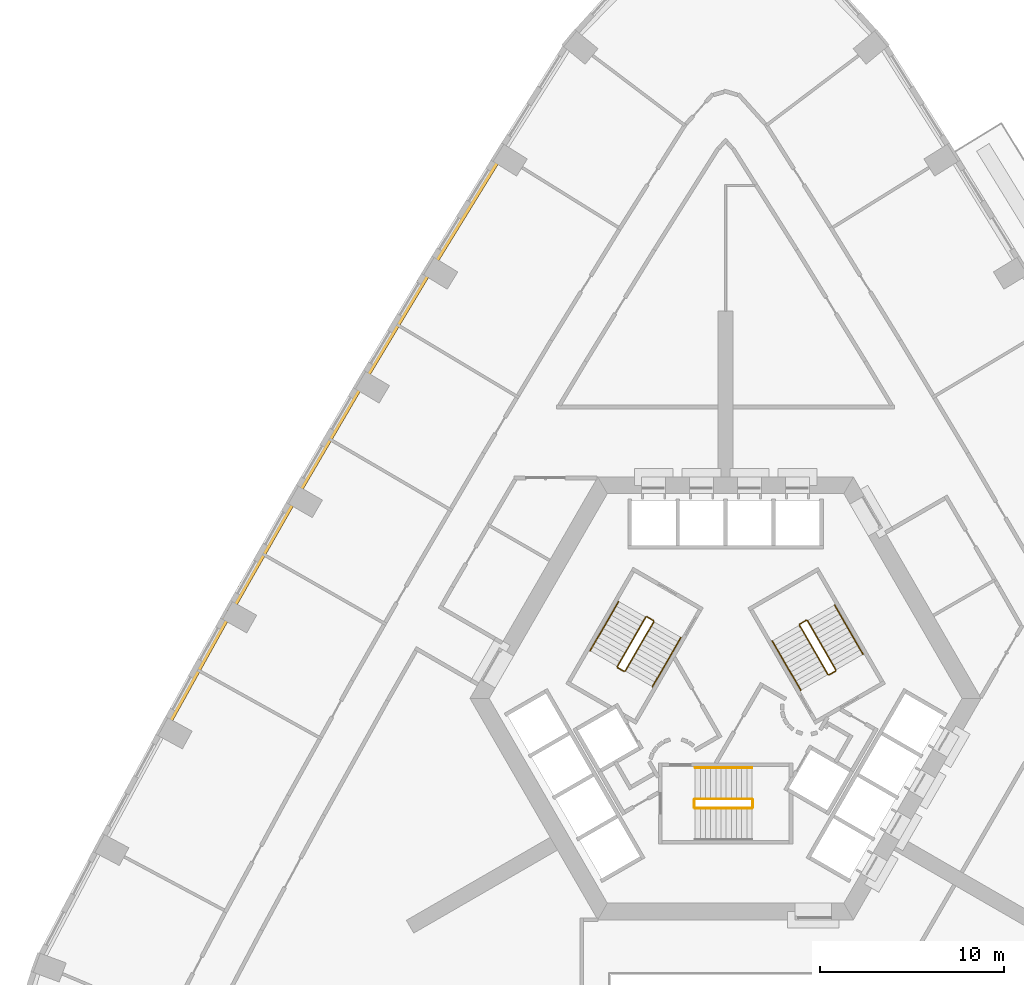
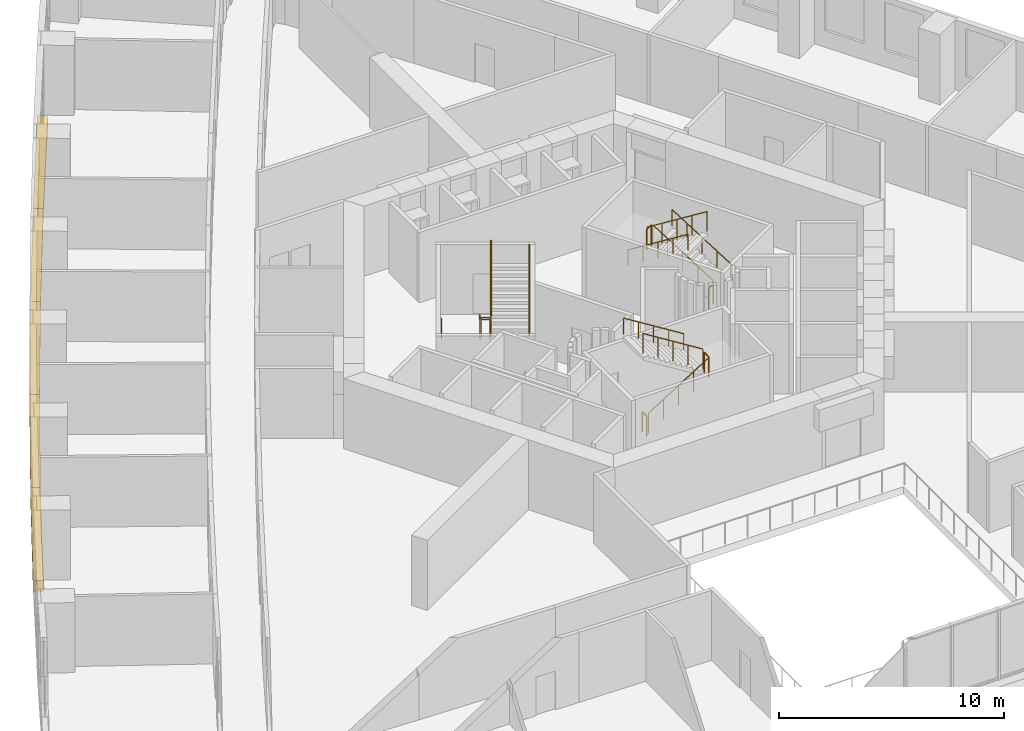
# One storey, part 14 of 15: 17 railings, 5 coverings.
"""IFC4 building model written with IfcOpenShell, lengths in metres."""

from ifc_helpers import new_model, si_unit, direction, frame, origin, origin_2d, place, context, subcontext, project, spatial, polyline, circle, outline, extrude, material, type_object, element, save


model = new_model("IFC4")

# Units and contexts
model_context = context("Model", 3, precision=1e-05, world=origin(), true_north=direction((0.0, 1.0)))
body_context = subcontext(model_context, "Body", "Model", "MODEL_VIEW")
ifc_project = project(units=[si_unit("LENGTHUNIT", "METRE"), si_unit("AREAUNIT", "SQUARE_METRE"), si_unit("VOLUMEUNIT", "CUBIC_METRE"), si_unit("PLANEANGLEUNIT", "RADIAN"), si_unit("MASSUNIT", "GRAM", prefix="KILO")], contexts=[model_context])

# Site, building, storey
site_placement = place(None, origin())
site = spatial("IfcSite", under=ifc_project, at=site_placement, CompositionType="ELEMENT")
building_placement = place(site_placement, origin())
building = spatial("IfcBuilding", under=site, at=building_placement, Name="Entoto Arch Interchange Tower", CompositionType="ELEMENT")
storey_placement = place(building_placement, frame((0.0, 0.0, 111.800048828125)))
storey = spatial("IfcBuildingStorey", under=building, at=storey_placement, Name="L24", CompositionType="ELEMENT", Elevation=111.800048828125)

# Coverings
ifc_material_1 = material(Name="Board-marked precast concrete C50/60", Category="concrete")
covering_type = type_object("IfcCoveringType", Name="PRECAST LEDGE COURSE", PredefinedType="CLADDING", material=ifc_material_1)
covering_1_placement = place(storey_placement, frame((0.0, 0.0, -1.0)))
element("IfcCovering", 1, at=covering_1_placement, inside=storey, type_object=covering_type, Name="Precast course NW-02 L24", PredefinedType="CLADDING", context=body_context, shape_type="SweptSolid", body=[
    extrude(outline(polyline([(-15.822021484375, 25.77001953125), (-16.2109375, 26.007080078125), (-12.43798828125, 32.14990234375), (-12.0458984375, 31.905029296875), (-15.822021484375, 25.77001953125)])), origin(), (0.0, 0.0, 1.0), 0.599853515625),
])
covering_2_placement = place(storey_placement, frame((0.0, 0.0, -1.0)))
element("IfcCovering", 2, at=covering_2_placement, inside=storey, type_object=covering_type, Name="Precast course NW-03 L24", PredefinedType="CLADDING", context=body_context, shape_type="SweptSolid", body=[
    extrude(outline(polyline([(-19.529052734375, 19.593017578125), (-19.9169921875, 19.822998046875), (-16.2109375, 26.007080078125), (-15.822021484375, 25.77001953125), (-19.529052734375, 19.593017578125)])), origin(), (0.0, 0.0, 1.0), 0.599853515625),
])
covering_3_placement = place(storey_placement, frame((0.0, 0.0, -1.0)))
element("IfcCovering", 3, at=covering_3_placement, inside=storey, type_object=covering_type, Name="Precast course NW-04 L24", PredefinedType="CLADDING", context=body_context, shape_type="SweptSolid", body=[
    extrude(outline(polyline([(-23.166015625, 13.375), (-23.555908203125, 13.60009765625), (-19.9169921875, 19.822998046875), (-19.529052734375, 19.593017578125), (-23.166015625, 13.375)])), origin(), (0.0, 0.0, 1.0), 0.599853515625),
])
covering_4_placement = place(storey_placement, frame((0.0, 0.0, -1.0)))
element("IfcCovering", 4, at=covering_4_placement, inside=storey, type_object=covering_type, Name="Precast course NW-05 L24", PredefinedType="CLADDING", context=body_context, shape_type="SweptSolid", body=[
    extrude(outline(polyline([(-26.73291015625, 7.115966796875), (-27.1259765625, 7.3369140625), (-23.555908203125, 13.60009765625), (-23.166015625, 13.375), (-26.73291015625, 7.115966796875)])), origin(), (0.0, 0.0, 1.0), 0.599853515625),
])
covering_5_placement = place(storey_placement, frame((0.0, 0.0, -1.0)))
element("IfcCovering", 5, at=covering_5_placement, inside=storey, type_object=covering_type, Name="Precast course NW-06 L24", PredefinedType="CLADDING", context=body_context, shape_type="SweptSolid", body=[
    extrude(outline(polyline([(-30.22802734375, 0.81689453125), (-30.6279296875, 1.035888671875), (-27.1259765625, 7.3369140625), (-26.73291015625, 7.115966796875), (-30.22802734375, 0.81689453125)])), origin(), (0.0, 0.0, 1.0), 0.599853515625),
])

# Railings
ifc_material_2 = material(Name="Stainless steel 1.4301", Category="steel")
railing_type_1 = type_object("IfcRailingType", Name="STAIR GUARD 1100 STEEL", PredefinedType="GUARDRAIL", material=ifc_material_2)
railing_1_placement = place(storey_placement, frame((-1.64990234375, -3.449951171875, 0.175048828125)))
element("IfcRailing", 6, at=railing_1_placement, inside=storey, type_object=railing_type_1, Name="L24 ST-S stair guard 1", PredefinedType="GUARDRAIL", context=body_context, shape_type="SweptSolid", body=[
    extrude(circle(Radius=0.02392578125, at=origin_2d()), frame((0.0, 0.0, 1.076171875), z_axis=(0.848009633417, 0.0, 0.529980812513), x_axis=(0.0, 1.0, 0.0)), (0.0, 0.0, 1.0), 3.6318359375),
    extrude(circle(Radius=0.02099609375, at=origin_2d()), origin(), (0.0, 0.0, 1.0), 1.052001953125),
    extrude(circle(Radius=0.02099609375, at=origin_2d()), frame((0.77001953125, 0.0, 0.481201171875)), (0.0, 0.0, 1.0), 1.052001953125),
    extrude(circle(Radius=0.02099609375, at=origin_2d()), frame((1.5400390625, 0.0, 0.96240234375)), (0.0, 0.0, 1.0), 1.052001953125),
    extrude(circle(Radius=0.02099609375, at=origin_2d()), frame((2.309814453125, 0.0, 1.443603515625)), (0.0, 0.0, 1.0), 1.052001953125),
    extrude(circle(Radius=0.02099609375, at=origin_2d()), frame((3.079833984375, 0.0, 1.9248046875)), (0.0, 0.0, 1.0), 1.052001953125),
])
railing_2_placement = place(storey_placement, frame((1.47998046875, -3.39990234375, 2.099853515625)))
element("IfcRailing", 7, at=railing_2_placement, inside=storey, type_object=railing_type_1, Name="L24 ST-S stair guard 2", PredefinedType="GUARDRAIL", context=body_context, shape_type="SweptSolid", body=[
    extrude(circle(Radius=0.02392578125, at=origin_2d()), frame((0.0, 0.0, 1.076171875), z_axis=(0.0, 1.0, 0.0), x_axis=(-1.0, 0.0, 0.0)), (0.0, 0.0, 1.0), 0.39990234375),
    extrude(circle(Radius=0.02099609375, at=origin_2d()), origin(), (0.0, 0.0, 1.0), 1.052001953125),
    extrude(circle(Radius=0.02099609375, at=origin_2d()), frame((0.0, 0.39990234375, 0.0)), (0.0, 0.0, 1.0), 1.052001953125),
])
railing_3_placement = place(storey_placement, frame((1.429931640625, -2.949951171875, 2.27490234375)))
element("IfcRailing", 8, at=railing_3_placement, inside=storey, type_object=railing_type_1, Name="L24 ST-S stair guard 3", PredefinedType="GUARDRAIL", context=body_context, shape_type="SweptSolid", body=[
    extrude(circle(Radius=0.02392578125, at=origin_2d()), frame((0.0, 0.0, 1.076171875), z_axis=(-0.847979421464, 0.0, 0.530029150871), x_axis=(0.0, -1.0, 0.0)), (0.0, 0.0, 1.0), 3.632080078125),
    extrude(circle(Radius=0.02099609375, at=origin_2d()), origin(), (0.0, 0.0, 1.0), 1.052001953125),
    extrude(circle(Radius=0.02099609375, at=origin_2d()), frame((-0.77001953125, 0.0, 0.481201171875)), (0.0, 0.0, 1.0), 1.052001953125),
    extrude(circle(Radius=0.02099609375, at=origin_2d()), frame((-1.5400390625, 0.0, 0.96240234375)), (0.0, 0.0, 1.0), 1.052001953125),
    extrude(circle(Radius=0.02099609375, at=origin_2d()), frame((-2.309814453125, 0.0, 1.44384765625)), (0.0, 0.0, 1.0), 1.052001953125),
    extrude(circle(Radius=0.02099609375, at=origin_2d()), frame((-3.079833984375, 0.0, 1.925048828125)), (0.0, 0.0, 1.0), 1.052001953125),
])
railing_4_placement = place(storey_placement, frame((-1.699951171875, -3.39990234375, 0.0)))
element("IfcRailing", 9, at=railing_4_placement, inside=storey, type_object=railing_type_1, Name="L24 ST-S stair guard 4", PredefinedType="GUARDRAIL", context=body_context, shape_type="SweptSolid", body=[
    extrude(circle(Radius=0.02392578125, at=origin_2d()), frame((0.0, 0.0, 1.076171875), z_axis=(0.0, 1.0, 0.0), x_axis=(-1.0, 0.0, 0.0)), (0.0, 0.0, 1.0), 0.39990234375),
    extrude(circle(Radius=0.02099609375, at=origin_2d()), origin(), (0.0, 0.0, 1.0), 1.052001953125),
    extrude(circle(Radius=0.02099609375, at=origin_2d()), frame((0.0, 0.39990234375, 0.0)), (0.0, 0.0, 1.0), 1.052001953125),
])
railing_5_placement = place(storey_placement, frame((5.977783203125, 4.046142578125, 0.175048828125)))
element("IfcRailing", 10, at=railing_5_placement, inside=storey, type_object=railing_type_1, Name="L24 ST-NE stair guard 1", PredefinedType="GUARDRAIL", context=body_context, shape_type="SweptSolid", body=[
    extrude(circle(Radius=0.02392578125, at=origin_2d()), frame((0.0, 0.0, 1.076171875), z_axis=(-0.42403051051, 0.734390191396, 0.529970917068), x_axis=(-0.866010015463, -0.500026652407, 0.0)), (0.0, 0.0, 1.0), 3.6318359375),
    extrude(circle(Radius=0.02099609375, at=origin_2d()), origin(), (0.0, 0.0, 1.0), 1.052001953125),
    extrude(circle(Radius=0.02099609375, at=origin_2d()), frame((-0.385009765625, 0.666748046875, 0.481201171875)), (0.0, 0.0, 1.0), 1.052001953125),
    extrude(circle(Radius=0.02099609375, at=origin_2d()), frame((-0.77001953125, 1.33349609375, 0.96240234375)), (0.0, 0.0, 1.0), 1.052001953125),
    extrude(circle(Radius=0.02099609375, at=origin_2d()), frame((-1.155029296875, 2.00048828125, 1.443603515625)), (0.0, 0.0, 1.0), 1.052001953125),
    extrude(circle(Radius=0.02099609375, at=origin_2d()), frame((-1.5400390625, 2.667236328125, 1.9248046875)), (0.0, 0.0, 1.0), 1.052001953125),
])
railing_6_placement = place(storey_placement, frame((4.36962890625, 6.731689453125, 2.099853515625)))
element("IfcRailing", 11, at=railing_6_placement, inside=storey, type_object=railing_type_1, Name="L24 ST-NE stair guard 2", PredefinedType="GUARDRAIL", context=body_context, shape_type="SweptSolid", body=[
    extrude(circle(Radius=0.02392578125, at=origin_2d()), frame((0.0, 0.0, 1.076171875), z_axis=(-0.866094119867, -0.499880961361, 0.0), x_axis=(0.499880961361, -0.866094119867, 0.0)), (0.0, 0.0, 1.0), 0.39990234375),
    extrude(circle(Radius=0.02099609375, at=origin_2d()), origin(), (0.0, 0.0, 1.0), 1.052001953125),
    extrude(circle(Radius=0.02099609375, at=origin_2d()), frame((-0.346435546875, -0.199951171875, 0.0)), (0.0, 0.0, 1.0), 1.052001953125),
])
railing_7_placement = place(storey_placement, frame((4.0048828125, 6.46337890625, 2.27490234375)))
element("IfcRailing", 12, at=railing_7_placement, inside=storey, type_object=railing_type_1, Name="L24 ST-NE stair guard 3", PredefinedType="GUARDRAIL", context=body_context, shape_type="SweptSolid", body=[
    extrude(circle(Radius=0.02392578125, at=origin_2d()), frame((0.0, 0.0, 1.076171875), z_axis=(0.424015404183, -0.734364028329, 0.530019255228), x_axis=(0.866010015463, 0.500026652407, 0.0)), (0.0, 0.0, 1.0), 3.632080078125),
    extrude(circle(Radius=0.02099609375, at=origin_2d()), origin(), (0.0, 0.0, 1.0), 1.052001953125),
    extrude(circle(Radius=0.02099609375, at=origin_2d()), frame((0.385009765625, -0.666748046875, 0.481201171875)), (0.0, 0.0, 1.0), 1.052001953125),
    extrude(circle(Radius=0.02099609375, at=origin_2d()), frame((0.77001953125, -1.33349609375, 0.96240234375)), (0.0, 0.0, 1.0), 1.052001953125),
    extrude(circle(Radius=0.02099609375, at=origin_2d()), frame((1.155029296875, -2.00048828125, 1.44384765625)), (0.0, 0.0, 1.0), 1.052001953125),
    extrude(circle(Radius=0.02099609375, at=origin_2d()), frame((1.5400390625, -2.667236328125, 1.925048828125)), (0.0, 0.0, 1.0), 1.052001953125),
])
railing_8_placement = place(storey_placement, frame((5.95947265625, 3.977783203125, 0.0)))
element("IfcRailing", 13, at=railing_8_placement, inside=storey, type_object=railing_type_1, Name="L24 ST-NE stair guard 4", PredefinedType="GUARDRAIL", context=body_context, shape_type="SweptSolid", body=[
    extrude(circle(Radius=0.02392578125, at=origin_2d()), frame((0.0, 0.0, 1.076171875), z_axis=(-0.866094119867, -0.499880961361, 0.0), x_axis=(0.499880961361, -0.866094119867, 0.0)), (0.0, 0.0, 1.0), 0.39990234375),
    extrude(circle(Radius=0.02099609375, at=origin_2d()), origin(), (0.0, 0.0, 1.0), 1.052001953125),
    extrude(circle(Radius=0.02099609375, at=origin_2d()), frame((-0.346435546875, -0.199951171875, 0.0)), (0.0, 0.0, 1.0), 1.052001953125),
])
railing_9_placement = place(storey_placement, frame((-4.327880859375, 6.904052734375, 0.175048828125)))
element("IfcRailing", 14, at=railing_9_placement, inside=storey, type_object=railing_type_1, Name="L24 ST-NW stair guard 1", PredefinedType="GUARDRAIL", context=body_context, shape_type="SweptSolid", body=[
    extrude(circle(Radius=0.02392578125, at=origin_2d()), frame((0.0, 0.0, 1.076171875), z_axis=(-0.424009578203, -0.734421155904, 0.529944755001), x_axis=(0.866029832698, -0.499992328818, 0.0)), (0.0, 0.0, 1.0), 3.632080078125),
    extrude(circle(Radius=0.02099609375, at=origin_2d()), origin(), (0.0, 0.0, 1.0), 1.052001953125),
    extrude(circle(Radius=0.02099609375, at=origin_2d()), frame((-0.385009765625, -0.6669921875, 0.481201171875)), (0.0, 0.0, 1.0), 1.052001953125),
    extrude(circle(Radius=0.02099609375, at=origin_2d()), frame((-0.77001953125, -1.333740234375, 0.96240234375)), (0.0, 0.0, 1.0), 1.052001953125),
    extrude(circle(Radius=0.02099609375, at=origin_2d()), frame((-1.155029296875, -2.00048828125, 1.443603515625)), (0.0, 0.0, 1.0), 1.052001953125),
    extrude(circle(Radius=0.02099609375, at=origin_2d()), frame((-1.5400390625, -2.66748046875, 1.9248046875)), (0.0, 0.0, 1.0), 1.052001953125),
])
railing_10_placement = place(storey_placement, frame((-5.849609375, 4.168212890625, 2.099853515625)))
element("IfcRailing", 15, at=railing_10_placement, inside=storey, type_object=railing_type_1, Name="L24 ST-NW stair guard 2", PredefinedType="GUARDRAIL", context=body_context, shape_type="SweptSolid", body=[
    extrude(circle(Radius=0.02392578125, at=origin_2d()), frame((0.0, 0.0, 1.076171875), z_axis=(0.866094119867, -0.499880961361, 0.0), x_axis=(0.499880961361, 0.866094119867, 0.0)), (0.0, 0.0, 1.0), 0.39990234375),
    extrude(circle(Radius=0.02099609375, at=origin_2d()), origin(), (0.0, 0.0, 1.0), 1.052001953125),
    extrude(circle(Radius=0.02099609375, at=origin_2d()), frame((0.346435546875, -0.199951171875, 0.0)), (0.0, 0.0, 1.0), 1.052001953125),
])
railing_11_placement = place(storey_placement, frame((-5.434814453125, 3.986572265625, 2.27490234375)))
element("IfcRailing", 16, at=railing_11_placement, inside=storey, type_object=railing_type_1, Name="L24 ST-NW stair guard 3", PredefinedType="GUARDRAIL", context=body_context, shape_type="SweptSolid", body=[
    extrude(circle(Radius=0.02392578125, at=origin_2d()), frame((0.0, 0.0, 1.076171875), z_axis=(0.423994474112, 0.734394994316, 0.52999309264), x_axis=(-0.866029832698, 0.499992328818, 0.0)), (0.0, 0.0, 1.0), 3.63232421875),
    extrude(circle(Radius=0.02099609375, at=origin_2d()), origin(), (0.0, 0.0, 1.0), 1.052001953125),
    extrude(circle(Radius=0.02099609375, at=origin_2d()), frame((0.385009765625, 0.6669921875, 0.481201171875)), (0.0, 0.0, 1.0), 1.052001953125),
    extrude(circle(Radius=0.02099609375, at=origin_2d()), frame((0.77001953125, 1.333740234375, 0.96240234375)), (0.0, 0.0, 1.0), 1.052001953125),
    extrude(circle(Radius=0.02099609375, at=origin_2d()), frame((1.155029296875, 2.00048828125, 1.44384765625)), (0.0, 0.0, 1.0), 1.052001953125),
    extrude(circle(Radius=0.02099609375, at=origin_2d()), frame((1.5400390625, 2.66748046875, 1.925048828125)), (0.0, 0.0, 1.0), 1.052001953125),
])
railing_12_placement = place(storey_placement, frame((-4.259521484375, 6.92236328125, 0.0)))
element("IfcRailing", 17, at=railing_12_placement, inside=storey, type_object=railing_type_1, Name="L24 ST-NW stair guard 4", PredefinedType="GUARDRAIL", context=body_context, shape_type="SweptSolid", body=[
    extrude(circle(Radius=0.02392578125, at=origin_2d()), frame((0.0, 0.0, 1.076171875), z_axis=(0.865829829939, -0.500338590944, 0.0), x_axis=(0.500338590944, 0.865829829939, 0.0)), (0.0, 0.0, 1.0), 0.400146484375),
    extrude(circle(Radius=0.02099609375, at=origin_2d()), origin(), (0.0, 0.0, 1.0), 1.052001953125),
    extrude(circle(Radius=0.02099609375, at=origin_2d()), frame((0.346435546875, -0.2001953125, 0.0)), (0.0, 0.0, 1.0), 1.052001953125),
])
railing_type_2 = type_object("IfcRailingType", Name="STAIR HANDRAIL 900 STEEL", PredefinedType="HANDRAIL", material=ifc_material_2)
railing_13_placement = place(storey_placement, frame((1.429931640625, -1.25, 2.27490234375)))
element("IfcRailing", 18, at=railing_13_placement, inside=storey, type_object=railing_type_2, Name="L24 ST-S stair handrail 2", PredefinedType="HANDRAIL", context=body_context, shape_type="SweptSolid", body=[
    extrude(circle(Radius=0.02392578125, at=origin_2d()), frame((0.0, 0.0, 0.8759765625), z_axis=(-0.847979421464, 0.0, 0.530029150871), x_axis=(0.0, -1.0, 0.0)), (0.0, 0.0, 1.0), 3.632080078125),
    extrude(circle(Radius=0.02099609375, at=origin_2d()), origin(), (0.0, 0.0, 1.0), 0.851806640625),
    extrude(circle(Radius=0.02099609375, at=origin_2d()), frame((-0.77001953125, 0.0, 0.481201171875)), (0.0, 0.0, 1.0), 0.851806640625),
    extrude(circle(Radius=0.02099609375, at=origin_2d()), frame((-1.5400390625, 0.0, 0.96240234375)), (0.0, 0.0, 1.0), 0.851806640625),
    extrude(circle(Radius=0.02099609375, at=origin_2d()), frame((-2.309814453125, 0.0, 1.44384765625)), (0.0, 0.0, 1.0), 0.851806640625),
    extrude(circle(Radius=0.02099609375, at=origin_2d()), frame((-3.079833984375, 0.0, 1.925048828125)), (0.0, 0.0, 1.0), 0.851806640625),
])
railing_14_placement = place(storey_placement, frame((7.4501953125, 4.89599609375, 0.175048828125)))
element("IfcRailing", 19, at=railing_14_placement, inside=storey, type_object=railing_type_2, Name="L24 ST-NE stair handrail 1", PredefinedType="HANDRAIL", context=body_context, shape_type="SweptSolid", body=[
    extrude(circle(Radius=0.02392578125, at=origin_2d()), frame((0.0, 0.0, 0.8759765625), z_axis=(-0.424009578203, 0.734421155904, 0.529944755001), x_axis=(-0.866029832698, -0.499992328818, 0.0)), (0.0, 0.0, 1.0), 3.632080078125),
    extrude(circle(Radius=0.02099609375, at=origin_2d()), origin(), (0.0, 0.0, 1.0), 0.851806640625),
    extrude(circle(Radius=0.02099609375, at=origin_2d()), frame((-0.385009765625, 0.6669921875, 0.481201171875)), (0.0, 0.0, 1.0), 0.851806640625),
    extrude(circle(Radius=0.02099609375, at=origin_2d()), frame((-0.77001953125, 1.333740234375, 0.96240234375)), (0.0, 0.0, 1.0), 0.851806640625),
    extrude(circle(Radius=0.02099609375, at=origin_2d()), frame((-1.155029296875, 2.00048828125, 1.443603515625)), (0.0, 0.0, 1.0), 0.851806640625),
    extrude(circle(Radius=0.02099609375, at=origin_2d()), frame((-1.5400390625, 2.66748046875, 1.9248046875)), (0.0, 0.0, 1.0), 0.851806640625),
])
railing_15_placement = place(storey_placement, frame((2.53271484375, 5.613525390625, 2.27490234375)))
element("IfcRailing", 20, at=railing_15_placement, inside=storey, type_object=railing_type_2, Name="L24 ST-NE stair handrail 2", PredefinedType="HANDRAIL", context=body_context, shape_type="SweptSolid", body=[
    extrude(circle(Radius=0.02392578125, at=origin_2d()), frame((0.0, 0.0, 0.8759765625), z_axis=(0.423939339791, -0.734415923031, 0.53000819633), x_axis=(0.866064153644, 0.499932877268, 0.0)), (0.0, 0.0, 1.0), 3.632080078125),
    extrude(circle(Radius=0.02099609375, at=origin_2d()), origin(), (0.0, 0.0, 1.0), 0.851806640625),
    extrude(circle(Radius=0.02099609375, at=origin_2d()), frame((0.385009765625, -0.6669921875, 0.481201171875)), (0.0, 0.0, 1.0), 0.851806640625),
    extrude(circle(Radius=0.02099609375, at=origin_2d()), frame((0.77001953125, -1.333740234375, 0.96240234375)), (0.0, 0.0, 1.0), 0.851806640625),
    extrude(circle(Radius=0.02099609375, at=origin_2d()), frame((1.15478515625, -2.00048828125, 1.44384765625)), (0.0, 0.0, 1.0), 0.851806640625),
    extrude(circle(Radius=0.02099609375, at=origin_2d()), frame((1.539794921875, -2.66748046875, 1.925048828125)), (0.0, 0.0, 1.0), 0.851806640625),
])
railing_16_placement = place(storey_placement, frame((-5.800048828125, 7.75390625, 0.175048828125)))
element("IfcRailing", 21, at=railing_16_placement, inside=storey, type_object=railing_type_2, Name="L24 ST-NW stair handrail 1", PredefinedType="HANDRAIL", context=body_context, shape_type="SweptSolid", body=[
    extrude(circle(Radius=0.02392578125, at=origin_2d()), frame((0.0, 0.0, 0.8759765625), z_axis=(-0.42403051051, -0.734390191396, 0.529970917068), x_axis=(0.866010015463, -0.500026652407, 0.0)), (0.0, 0.0, 1.0), 3.6318359375),
    extrude(circle(Radius=0.02099609375, at=origin_2d()), origin(), (0.0, 0.0, 1.0), 0.851806640625),
    extrude(circle(Radius=0.02099609375, at=origin_2d()), frame((-0.385009765625, -0.666748046875, 0.481201171875)), (0.0, 0.0, 1.0), 0.851806640625),
    extrude(circle(Radius=0.02099609375, at=origin_2d()), frame((-0.77001953125, -1.33349609375, 0.96240234375)), (0.0, 0.0, 1.0), 0.851806640625),
    extrude(circle(Radius=0.02099609375, at=origin_2d()), frame((-1.155029296875, -2.00048828125, 1.443603515625)), (0.0, 0.0, 1.0), 0.851806640625),
    extrude(circle(Radius=0.02099609375, at=origin_2d()), frame((-1.5400390625, -2.667236328125, 1.9248046875)), (0.0, 0.0, 1.0), 0.851806640625),
])
railing_17_placement = place(storey_placement, frame((-3.962646484375, 3.136474609375, 2.27490234375)))
element("IfcRailing", 22, at=railing_17_placement, inside=storey, type_object=railing_type_2, Name="L24 ST-NW stair handrail 2", PredefinedType="HANDRAIL", context=body_context, shape_type="SweptSolid", body=[
    extrude(circle(Radius=0.02392578125, at=origin_2d()), frame((0.0, 0.0, 0.8759765625), z_axis=(0.423994474112, 0.734394994316, 0.52999309264), x_axis=(-0.866029832698, 0.499992328818, 0.0)), (0.0, 0.0, 1.0), 3.63232421875),
    extrude(circle(Radius=0.02099609375, at=origin_2d()), origin(), (0.0, 0.0, 1.0), 0.851806640625),
    extrude(circle(Radius=0.02099609375, at=origin_2d()), frame((0.385009765625, 0.6669921875, 0.481201171875)), (0.0, 0.0, 1.0), 0.851806640625),
    extrude(circle(Radius=0.02099609375, at=origin_2d()), frame((0.77001953125, 1.333740234375, 0.96240234375)), (0.0, 0.0, 1.0), 0.851806640625),
    extrude(circle(Radius=0.02099609375, at=origin_2d()), frame((1.155029296875, 2.00048828125, 1.44384765625)), (0.0, 0.0, 1.0), 0.851806640625),
    extrude(circle(Radius=0.02099609375, at=origin_2d()), frame((1.5400390625, 2.66748046875, 1.925048828125)), (0.0, 0.0, 1.0), 0.851806640625),
])

save(model, "model.ifc")
